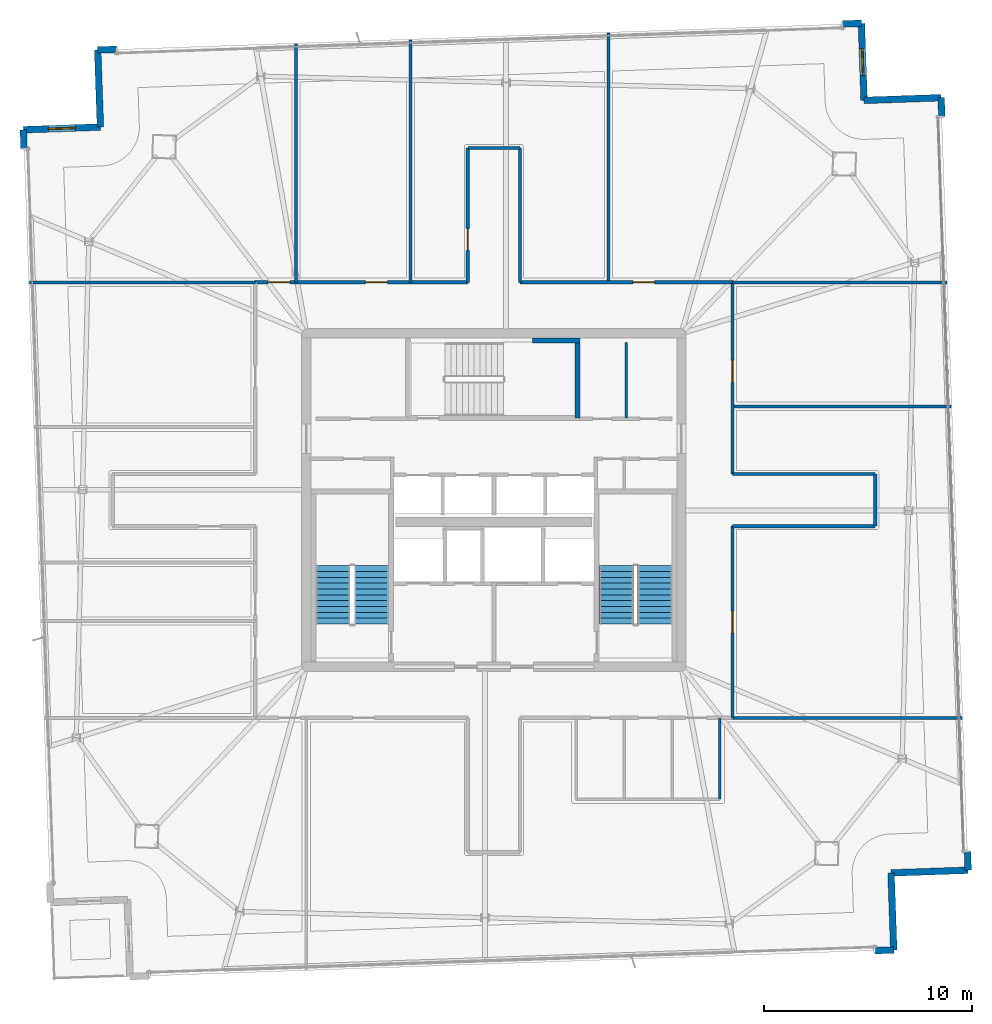
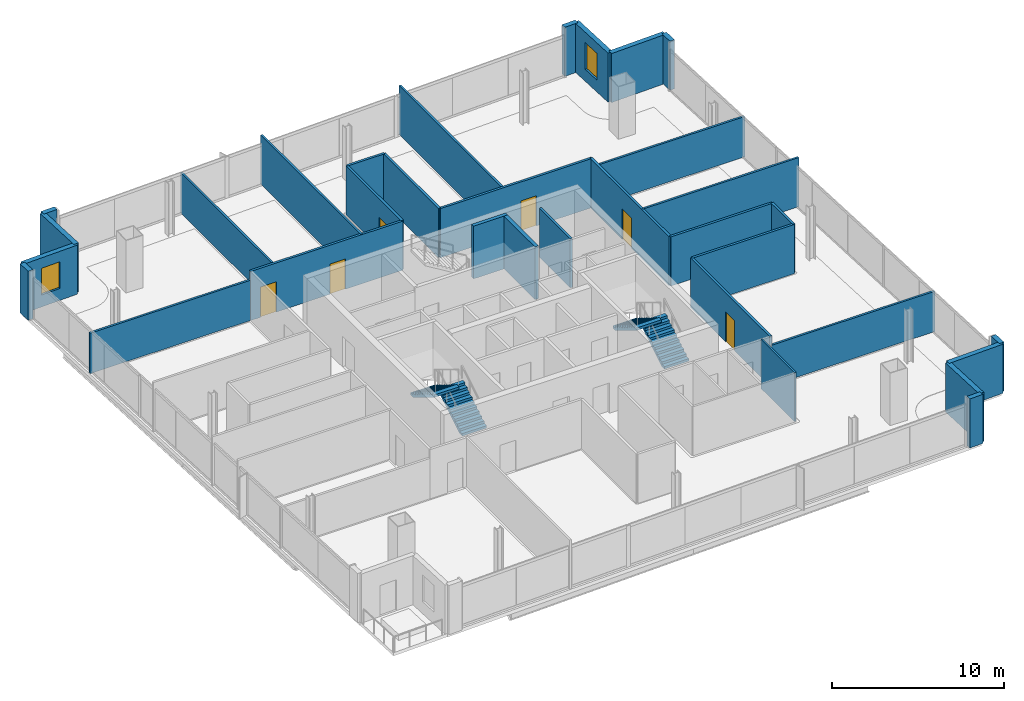
# One storey, part 19 of 23: 33 walls, 6 doors, 4 stair flights, 2 windows, 8 openings, 2 elements without a shape of their own.
"""IFC4 building model written with IfcOpenShell, lengths in metres."""

from ifc_helpers import new_model, si_unit, direction, frame, frame_2d, origin, place, context, subcontext, project, spatial, polyline, rectangle, outline, extrude, material, layer, layer_set, type_object, element, fill, aggregate, save


model = new_model("IFC4")

# Units and contexts
model_context = context("Model", 3, precision=1e-05, world=origin(), true_north=direction((0.0, 1.0)))
body_context = subcontext(model_context, "Body", "Model", "MODEL_VIEW")
ifc_project = project(units=[si_unit("LENGTHUNIT", "METRE"), si_unit("AREAUNIT", "SQUARE_METRE"), si_unit("VOLUMEUNIT", "CUBIC_METRE"), si_unit("PLANEANGLEUNIT", "RADIAN"), si_unit("MASSUNIT", "GRAM", prefix="KILO")], contexts=[model_context])

# Site, building, storey
site_placement = place(None, origin())
site = spatial("IfcSite", under=ifc_project, at=site_placement, CompositionType="ELEMENT")
building_placement = place(site_placement, origin())
building = spatial("IfcBuilding", under=site, at=building_placement, Name="Haldenkirk Collegiate Tower", CompositionType="ELEMENT")
storey_placement = place(building_placement, frame((0.0, 0.0, 336.449951171875)))
storey = spatial("IfcBuildingStorey", under=building, at=storey_placement, Name="L85", CompositionType="ELEMENT", Elevation=336.449951171875)

# Walls
ifc_material_1 = material(Name="Precast concrete f'c 40 MPa", Category="concrete")
ifc_layer_1 = layer(ifc_material_1, 0.320068359375)
ifc_layer_set_1 = layer_set([ifc_layer_1], Name="Precast concrete f'c 40 MPa")
wall_type_1 = type_object("IfcWallType", Name="WL-EXT-TWR-320", PredefinedType="STANDARD", material=ifc_layer_set_1)
wall_1_placement = place(storey_placement, frame((57.464111328125, 45.310791015625, 0.0), z_axis=(0.0, 0.0, 1.0), x_axis=(0.034994838926, -0.999387493042, 0.0)))
element("IfcWall", 1, at=wall_1_placement, inside=storey, type_object=wall_type_1, Name="L85 precast corner pier SL", PredefinedType="STANDARD", context=body_context, shape_type="SweptSolid", body=[
    extrude(rectangle(XDim=0.89990234375, YDim=0.320068359375, at=frame_2d((0.449951171875, 0.0))), origin(), (0.0, 0.0, 1.0), 3.489990234375),
])
wall_2_placement = place(storey_placement, frame((58.7275390625, 9.133056640625, 0.0), z_axis=(0.0, 0.0, 1.0), x_axis=(0.034714477794, -0.999397270875, 0.0)))
element("IfcWall", 2, at=wall_2_placement, inside=storey, type_object=wall_type_1, Name="L85 precast corner pier SR", PredefinedType="STANDARD", context=body_context, shape_type="SweptSolid", body=[
    extrude(rectangle(XDim=0.900146484375, YDim=0.320068359375, at=frame_2d((0.4501953125, 0.0))), origin(), (0.0, 0.0, 1.0), 3.489990234375),
])
wall_3_placement = place(storey_placement, frame((53.766357421875, 45.181640625, 0.0), z_axis=(0.0, 0.0, 1.0), x_axis=(0.999390619817, 0.034905429677, 0.0)))
element("IfcWall", 3, at=wall_3_placement, inside=storey, type_object=wall_type_1, Name="L85 bronze precast notch wall 02", PredefinedType="STANDARD", context=body_context, shape_type="SweptSolid", body=[
    extrude(rectangle(XDim=3.699951171875, YDim=0.320068359375, at=frame_2d((1.85009765625, 0.0))), origin(), (0.0, 0.0, 1.0), 3.489990234375),
])

# Wall, opening, window
wall_4_placement = place(storey_placement, frame((53.63720703125, 48.87939453125, 0.0), z_axis=(0.0, 0.0, 1.0), x_axis=(0.034905429677, -0.999390619817, 0.0)))
wall_4 = element("IfcWall", 4, at=wall_4_placement, inside=storey, type_object=wall_type_1, Name="L85 bronze precast notch wall 03", PredefinedType="STANDARD", context=body_context, shape_type="SweptSolid", body=[
    extrude(rectangle(XDim=3.699951171875, YDim=0.320068359375, at=frame_2d((1.85009765625, 0.0))), origin(), (0.0, 0.0, 1.0), 3.489990234375),
])
opening_1_placement = place(wall_4_placement, frame((1.199951171875, 0.0, 0.85009765625)))
opening_1 = element("IfcOpeningElement", 5, at=opening_1_placement, cuts=wall_4, Name="Opening W-08", PredefinedType="OPENING", context=body_context, shape_type="SweptSolid", body=[
    extrude(rectangle(XDim=1.300048828125, YDim=1.89990234375, at=frame_2d((0.64990234375, 0.949951171875))), frame((0.0, 0.169921875, 0.0), z_axis=(0.0, -1.0, 0.0), x_axis=(1.0, 0.0, 0.0)), (0.0, 0.0, 1.0), 0.340087890625),
])
ifc_material_2 = material(Name="Low-E argon triple insulating glass", Category="glass")
ifc_layer_2 = layer(ifc_material_2, 0.090087890625)
ifc_layer_set_2 = layer_set([ifc_layer_2], Name="Low-E argon triple insulating glass")
window_type = type_object("IfcWindowType", Name="WN-Z6-1300X1900", PartitioningType="SINGLE_PANEL", PredefinedType="WINDOW", material=ifc_layer_set_2)
window_1_placement = place(opening_1_placement, origin())
window_1 = element("IfcWindow", 6, at=window_1_placement, inside=storey, type_object=window_type, Name="L85 precast-frame academic window 2", OverallHeight=1.89990234375, OverallWidth=1.300048828125, PartitioningType="SINGLE_PANEL", PredefinedType="WINDOW", context=body_context, shape_type="SweptSolid", body=[
    extrude(rectangle(XDim=1.300048828125, YDim=1.89990234375, at=frame_2d((0.64990234375, 0.949951171875))), frame((0.0, 0.030029296875, 0.0), z_axis=(0.0, -1.0, 0.0), x_axis=(1.0, 0.0, 0.0)), (0.0, 0.0, 1.0), 0.06005859375),
])
fill(opening_1, window_1)

# Walls
for number, where, z_axis, x_axis, name in (
    (7, (16.984619140625, 47.599609375, 0.0), (0.0, 0.0, 1.0), (0.999396943912, 0.034723889474, 0.0), "L85 precast corner pier EL"),
    (8, (52.73779296875, 48.84814453125, 0.0), (0.0, 0.0, 1.0), (0.999396943912, 0.034723889474, 0.0), "L85 precast corner pier ER"),
):
    element("IfcWall", number, at=place(storey_placement, frame(where, z_axis=z_axis, x_axis=x_axis)), inside=storey, type_object=wall_type_1, Name=name, PredefinedType="STANDARD", context=body_context, shape_type="SweptSolid", body=[
        extrude(rectangle(XDim=0.89990234375, YDim=0.320068359375, at=frame_2d((0.449951171875, 0.0))), origin(), (0.0, 0.0, 1.0), 3.489990234375),
    ])
wall_5_placement = place(storey_placement, frame((17.11376953125, 43.90185546875, 0.0), z_axis=(0.0, 0.0, 1.0), x_axis=(-0.034905429677, 0.999390619817, 0.0)))
element("IfcWall", 9, at=wall_5_placement, inside=storey, type_object=wall_type_1, Name="L85 bronze precast notch wall 05", PredefinedType="STANDARD", context=body_context, shape_type="SweptSolid", body=[
    extrude(rectangle(XDim=3.699951171875, YDim=0.320068359375, at=frame_2d((1.85009765625, 0.0))), origin(), (0.0, 0.0, 1.0), 3.489990234375),
])

# Wall, opening, window
wall_6_placement = place(storey_placement, frame((13.416015625, 43.772705078125, 0.0), z_axis=(0.0, 0.0, 1.0), x_axis=(0.999390619817, 0.034905429677, 0.0)))
wall_6 = element("IfcWall", 10, at=wall_6_placement, inside=storey, type_object=wall_type_1, Name="L85 bronze precast notch wall 06", PredefinedType="STANDARD", context=body_context, shape_type="SweptSolid", body=[
    extrude(rectangle(XDim=3.699951171875, YDim=0.320068359375, at=frame_2d((1.85009765625, 0.0))), origin(), (0.0, 0.0, 1.0), 3.489990234375),
])
opening_2_placement = place(wall_6_placement, frame((1.199951171875, 0.0, 0.85009765625)))
opening_2 = element("IfcOpeningElement", 11, at=opening_2_placement, cuts=wall_6, Name="Opening W-08", PredefinedType="OPENING", context=body_context, shape_type="SweptSolid", body=[
    extrude(rectangle(XDim=1.300048828125, YDim=1.89990234375, at=frame_2d((0.64990234375, 0.949951171875))), frame((0.0, 0.169921875, 0.0), z_axis=(0.0, -1.0, 0.0), x_axis=(1.0, 0.0, 0.0)), (0.0, 0.0, 1.0), 0.340087890625),
])
window_2_placement = place(opening_2_placement, origin())
window_2 = element("IfcWindow", 12, at=window_2_placement, inside=storey, type_object=window_type, Name="L85 precast-frame academic window 5", OverallHeight=1.89990234375, OverallWidth=1.300048828125, PartitioningType="SINGLE_PANEL", PredefinedType="WINDOW", context=body_context, shape_type="SweptSolid", body=[
    extrude(rectangle(XDim=1.300048828125, YDim=1.89990234375, at=frame_2d((0.64990234375, 0.949951171875))), frame((0.0, 0.030029296875, 0.0), z_axis=(0.0, -1.0, 0.0), x_axis=(1.0, 0.0, 0.0)), (0.0, 0.0, 1.0), 0.06005859375),
])
fill(opening_2, window_2)

# Walls
for number, where, z_axis, x_axis, name in (
    (13, (13.447509765625, 42.873291015625, 0.0), (0.0, 0.0, 1.0), (-0.034994838926, 0.999387493042, 0.0), "L85 precast corner pier NR"),
    (14, (55.190185546875, 4.406494140625, 0.0), (0.0, 0.0, 1.0), (-0.999396943912, -0.034723889474, 0.0), "L85 precast corner pier WL"),
):
    element("IfcWall", number, at=place(storey_placement, frame(where, z_axis=z_axis, x_axis=x_axis)), inside=storey, type_object=wall_type_1, Name=name, PredefinedType="STANDARD", context=body_context, shape_type="SweptSolid", body=[
        extrude(rectangle(XDim=0.89990234375, YDim=0.320068359375, at=frame_2d((0.449951171875, 0.0))), origin(), (0.0, 0.0, 1.0), 3.489990234375),
    ])
wall_7_placement = place(storey_placement, frame((55.061279296875, 8.104248046875, 0.0), z_axis=(0.0, 0.0, 1.0), x_axis=(0.034839526044, -0.999392919439, 0.0)))
element("IfcWall", 15, at=wall_7_placement, inside=storey, type_object=wall_type_1, Name="L85 bronze precast notch wall 11", PredefinedType="STANDARD", context=body_context, shape_type="SweptSolid", body=[
    extrude(rectangle(XDim=3.699951171875, YDim=0.320068359375, at=frame_2d((1.85009765625, 0.0))), origin(), (0.0, 0.0, 1.0), 3.489990234375),
])
wall_8_placement = place(storey_placement, frame((58.7587890625, 8.2333984375, 0.0), z_axis=(0.0, 0.0, 1.0), x_axis=(-0.999390539416, -0.034907731618, 0.0)))
element("IfcWall", 16, at=wall_8_placement, inside=storey, type_object=wall_type_1, Name="L85 bronze precast notch wall 12", PredefinedType="STANDARD", context=body_context, shape_type="SweptSolid", body=[
    extrude(rectangle(XDim=3.69970703125, YDim=0.320068359375, at=frame_2d((1.849853515625, 0.0))), origin(), (0.0, 0.0, 1.0), 3.489990234375),
])

# Wall, openings, doors
ifc_material_3 = material(Name="Acoustic fire-rated gypsum partition", Category="concrete")
ifc_layer_3 = layer(ifc_material_3, 0.159912109375)
ifc_layer_set_3 = layer_set([ifc_layer_3], Name="Acoustic fire-rated gypsum partition")
wall_type_2 = type_object("IfcWallType", Name="WL-INT-CORR-160", PredefinedType="PARTITIONING", material=ifc_layer_set_3)
wall_9_placement = place(storey_placement, frame((24.5, 36.449951171875, 0.0), z_axis=(0.0, 0.0, 1.0), x_axis=(1.0, 0.0, 0.0)))
wall_9 = element("IfcWall", 17, at=wall_9_placement, inside=storey, type_object=wall_type_2, Name="L85 interior partition IW-L85-CN1", PredefinedType="PARTITIONING", context=body_context, shape_type="SweptSolid", body=[
    extrude(rectangle(XDim=10.25, YDim=0.159912109375, at=frame_2d((5.125, 0.0))), origin(), (0.0, 0.0, 1.0), 3.489990234375),
])
opening_3_placement = place(wall_9_placement, frame((0.669921875, 0.0, 0.0)))
opening_3 = element("IfcOpeningElement", 18, at=opening_3_placement, cuts=wall_9, Name="Opening D-09", PredefinedType="OPENING", context=body_context, shape_type="SweptSolid", body=[
    extrude(rectangle(XDim=1.050048828125, YDim=2.14990234375, at=frame_2d((0.52490234375, 1.074951171875))), frame((0.0, 0.08984375, 0.0), z_axis=(0.0, -1.0, 0.0), x_axis=(1.0, 0.0, 0.0)), (0.0, 0.0, 1.0), 0.179931640625),
])
opening_4_placement = place(wall_9_placement, frame((5.3349609375, 0.0, 0.0)))
opening_4 = element("IfcOpeningElement", 19, at=opening_4_placement, cuts=wall_9, Name="Opening D-09", PredefinedType="OPENING", context=body_context, shape_type="SweptSolid", body=[
    extrude(rectangle(XDim=1.050048828125, YDim=2.14990234375, at=frame_2d((0.52490234375, 1.074951171875))), frame((0.0, 0.08984375, 0.0), z_axis=(0.0, -1.0, 0.0), x_axis=(1.0, 0.0, 0.0)), (0.0, 0.0, 1.0), 0.179931640625),
])
ifc_material_4 = material(Name="Solid-core architectural oak fire door", Category="wood")
ifc_layer_4 = layer(ifc_material_4, 0.06005859375)
ifc_layer_set_4 = layer_set([ifc_layer_4], Name="Solid-core architectural oak fire door")
door_type = type_object("IfcDoorType", Name="DR-INT-FD60-1050", OperationType="NOTDEFINED", PredefinedType="DOOR", material=ifc_layer_set_4)
door_1_placement = place(opening_3_placement, origin())
door_1 = element("IfcDoor", 20, at=door_1_placement, inside=storey, type_object=door_type, Name="L85 Instrument Store Room 3 door", OperationType="SINGLE_SWING_LEFT", OverallHeight=2.14990234375, OverallWidth=1.050048828125, PredefinedType="DOOR", context=body_context, shape_type="SweptSolid", body=[
    extrude(rectangle(XDim=1.050048828125, YDim=2.14990234375, at=frame_2d((0.52490234375, 1.074951171875))), frame((0.0, 0.02490234375, 0.0), z_axis=(0.0, -1.0, 0.0), x_axis=(1.0, 0.0, 0.0)), (0.0, 0.0, 1.0), 0.050048828125),
])
fill(opening_3, door_1)
door_2_placement = place(opening_4_placement, origin())
door_2 = element("IfcDoor", 21, at=door_2_placement, inside=storey, type_object=door_type, Name="L85 Material Specimen Store 4 door", OperationType="SINGLE_SWING_RIGHT", OverallHeight=2.14990234375, OverallWidth=1.050048828125, PredefinedType="DOOR", context=body_context, shape_type="SweptSolid", body=[
    extrude(rectangle(XDim=1.050048828125, YDim=2.14990234375, at=frame_2d((0.52490234375, 1.074951171875))), frame((0.0, 0.02490234375, 0.0), z_axis=(0.0, -1.0, 0.0), x_axis=(1.0, 0.0, 0.0)), (0.0, 0.0, 1.0), 0.050048828125),
])
fill(opening_4, door_2)

# Wall, opening, door
wall_10_placement = place(storey_placement, frame((37.25, 36.449951171875, 0.0), z_axis=(0.0, 0.0, 1.0), x_axis=(1.0, 0.0, 0.0)))
wall_10 = element("IfcWall", 22, at=wall_10_placement, inside=storey, type_object=wall_type_2, Name="L85 interior partition IW-L85-CN2", PredefinedType="PARTITIONING", context=body_context, shape_type="SweptSolid", body=[
    extrude(rectangle(XDim=10.25, YDim=0.159912109375, at=frame_2d((5.125, 0.0))), origin(), (0.0, 0.0, 1.0), 3.489990234375),
])
opening_5_placement = place(wall_10_placement, frame((5.4189453125, 0.0, 0.0)))
opening_5 = element("IfcOpeningElement", 23, at=opening_5_placement, cuts=wall_10, Name="Opening D-09", PredefinedType="OPENING", context=body_context, shape_type="SweptSolid", body=[
    extrude(rectangle(XDim=1.050048828125, YDim=2.14990234375, at=frame_2d((0.52490234375, 1.074951171875))), frame((0.0, 0.08984375, 0.0), z_axis=(0.0, -1.0, 0.0), x_axis=(1.0, 0.0, 0.0)), (0.0, 0.0, 1.0), 0.179931640625),
])
door_3_placement = place(opening_5_placement, origin())
door_3 = element("IfcDoor", 24, at=door_3_placement, inside=storey, type_object=door_type, Name="L85 Cleanroom Prep Store 6 door", OperationType="SINGLE_SWING_RIGHT", OverallHeight=2.14990234375, OverallWidth=1.050048828125, PredefinedType="DOOR", context=body_context, shape_type="SweptSolid", body=[
    extrude(rectangle(XDim=1.050048828125, YDim=2.14990234375, at=frame_2d((0.52490234375, 1.074951171875))), frame((0.0, 0.02490234375, 0.0), z_axis=(0.0, -1.0, 0.0), x_axis=(1.0, 0.0, 0.0)), (0.0, 0.0, 1.0), 0.050048828125),
])
fill(opening_5, door_3)

wall_11_placement = place(storey_placement, frame((47.449951171875, 15.550048828125, 0.0), z_axis=(0.0, 0.0, 1.0), x_axis=(0.0, 1.0, 0.0)))
wall_11 = element("IfcWall", 25, at=wall_11_placement, inside=storey, type_object=wall_type_2, Name="L85 interior partition IW-L85-CE1", PredefinedType="PARTITIONING", context=body_context, shape_type="SweptSolid", body=[
    extrude(rectangle(XDim=9.199951171875, YDim=0.159912109375, at=frame_2d((4.60009765625, 0.0))), origin(), (0.0, 0.0, 1.0), 3.489990234375),
])
opening_6_placement = place(wall_11_placement, frame((4.074951171875, 0.0, 0.0)))
opening_6 = element("IfcOpeningElement", 26, at=opening_6_placement, cuts=wall_11, Name="Opening D-09", PredefinedType="OPENING", context=body_context, shape_type="SweptSolid", body=[
    extrude(rectangle(XDim=1.050048828125, YDim=2.14990234375, at=frame_2d((0.52490234375, 1.074951171875))), frame((0.0, 0.08984375, 0.0), z_axis=(0.0, -1.0, 0.0), x_axis=(1.0, 0.0, 0.0)), (0.0, 0.0, 1.0), 0.179931640625),
])
door_4_placement = place(opening_6_placement, origin())
door_4 = element("IfcDoor", 27, at=door_4_placement, inside=storey, type_object=door_type, Name="L85 Departmental Archive 11 door", OperationType="SINGLE_SWING_LEFT", OverallHeight=2.14990234375, OverallWidth=1.050048828125, PredefinedType="DOOR", context=body_context, shape_type="SweptSolid", body=[
    extrude(rectangle(XDim=1.050048828125, YDim=2.14990234375, at=frame_2d((0.52490234375, 1.074951171875))), frame((0.0, 0.02490234375, 0.0), z_axis=(0.0, -1.0, 0.0), x_axis=(1.0, 0.0, 0.0)), (0.0, 0.0, 1.0), 0.050048828125),
])
fill(opening_6, door_4)

wall_12_placement = place(storey_placement, frame((47.449951171875, 27.25, 0.0), z_axis=(0.0, 0.0, 1.0), x_axis=(0.0, 1.0, 0.0)))
wall_12 = element("IfcWall", 28, at=wall_12_placement, inside=storey, type_object=wall_type_2, Name="L85 interior partition IW-L85-CE2", PredefinedType="PARTITIONING", context=body_context, shape_type="SweptSolid", body=[
    extrude(rectangle(XDim=9.199951171875, YDim=0.159912109375, at=frame_2d((4.60009765625, 0.0))), origin(), (0.0, 0.0, 1.0), 3.489990234375),
])
opening_7_placement = place(wall_12_placement, frame((4.403076171875, 0.0, 0.0)))
opening_7 = element("IfcOpeningElement", 29, at=opening_7_placement, cuts=wall_12, Name="Opening D-09", PredefinedType="OPENING", context=body_context, shape_type="SweptSolid", body=[
    extrude(rectangle(XDim=1.050048828125, YDim=2.14990234375, at=frame_2d((0.52490234375, 1.074951171875))), frame((0.0, 0.08984375, 0.0), z_axis=(0.0, -1.0, 0.0), x_axis=(1.0, 0.0, 0.0)), (0.0, 0.0, 1.0), 0.179931640625),
])
door_5_placement = place(opening_7_placement, origin())
door_5 = element("IfcDoor", 30, at=door_5_placement, inside=storey, type_object=door_type, Name="L85 Cleanroom Prep Store 12 door", OperationType="SINGLE_SWING_RIGHT", OverallHeight=2.14990234375, OverallWidth=1.050048828125, PredefinedType="DOOR", context=body_context, shape_type="SweptSolid", body=[
    extrude(rectangle(XDim=1.050048828125, YDim=2.14990234375, at=frame_2d((0.52490234375, 1.074951171875))), frame((0.0, 0.02490234375, 0.0), z_axis=(0.0, -1.0, 0.0), x_axis=(1.0, 0.0, 0.0)), (0.0, 0.0, 1.0), 0.050048828125),
])
fill(opening_7, door_5)

wall_13_placement = place(storey_placement, frame((34.75, 36.449951171875, 0.0), z_axis=(0.0, 0.0, 1.0), x_axis=(0.0, 1.0, 0.0)))
wall_13 = element("IfcWall", 31, at=wall_13_placement, inside=storey, type_object=wall_type_2, Name="L85 interior partition IW-L85-NPW", PredefinedType="PARTITIONING", context=body_context, shape_type="SweptSolid", body=[
    extrude(rectangle(XDim=6.449951171875, YDim=0.159912109375, at=frame_2d((3.22509765625, 0.0))), origin(), (0.0, 0.0, 1.0), 3.489990234375),
])
opening_8_placement = place(wall_13_placement, frame((1.5390625, 0.0, 0.0)))
opening_8 = element("IfcOpeningElement", 32, at=opening_8_placement, cuts=wall_13, Name="Opening D-09", PredefinedType="OPENING", context=body_context, shape_type="SweptSolid", body=[
    extrude(rectangle(XDim=1.050048828125, YDim=2.14990234375, at=frame_2d((0.52490234375, 1.074951171875))), frame((0.0, 0.08984375, 0.0), z_axis=(0.0, -1.0, 0.0), x_axis=(1.0, 0.0, 0.0)), (0.0, 0.0, 1.0), 0.179931640625),
])
door_6_placement = place(opening_8_placement, origin())
door_6 = element("IfcDoor", 33, at=door_6_placement, inside=storey, type_object=door_type, Name="L85 Departmental Archive 5 door", OperationType="SINGLE_SWING_LEFT", OverallHeight=2.14990234375, OverallWidth=1.050048828125, PredefinedType="DOOR", context=body_context, shape_type="SweptSolid", body=[
    extrude(rectangle(XDim=1.050048828125, YDim=2.14990234375, at=frame_2d((0.52490234375, 1.074951171875))), frame((0.0, 0.02490234375, 0.0), z_axis=(0.0, -1.0, 0.0), x_axis=(1.0, 0.0, 0.0)), (0.0, 0.0, 1.0), 0.050048828125),
])
fill(opening_8, door_6)

# Walls
wall_14_placement = place(storey_placement, frame((37.25, 36.449951171875, 0.0), z_axis=(0.0, 0.0, 1.0), x_axis=(0.0, 1.0, 0.0)))
element("IfcWall", 34, at=wall_14_placement, inside=storey, type_object=wall_type_2, Name="L85 interior partition IW-L85-NPE", PredefinedType="PARTITIONING", context=body_context, shape_type="SweptSolid", body=[
    extrude(rectangle(XDim=6.449951171875, YDim=0.159912109375, at=frame_2d((3.22509765625, 0.0))), origin(), (0.0, 0.0, 1.0), 3.489990234375),
])
wall_15_placement = place(storey_placement, frame((34.75, 42.89990234375, 0.0), z_axis=(0.0, 0.0, 1.0), x_axis=(1.0, 0.0, 0.0)))
element("IfcWall", 35, at=wall_15_placement, inside=storey, type_object=wall_type_2, Name="L85 interior partition IW-L85-NPN", PredefinedType="PARTITIONING", context=body_context, shape_type="SweptSolid", body=[
    extrude(rectangle(XDim=2.5, YDim=0.159912109375, at=frame_2d((1.25, 0.0))), origin(), (0.0, 0.0, 1.0), 3.489990234375),
])
for number, where, z_axis, x_axis, name in (
    (36, (47.449951171875, 24.75, 0.0), (0.0, 0.0, 1.0), (1.0, 0.0, 0.0), "L85 interior partition IW-L85-EPS"),
    (37, (47.449951171875, 27.25, 0.0), (0.0, 0.0, 1.0), (1.0, 0.0, 0.0), "L85 interior partition IW-L85-EPN"),
):
    element("IfcWall", number, at=place(storey_placement, frame(where, z_axis=z_axis, x_axis=x_axis)), inside=storey, type_object=wall_type_2, Name=name, PredefinedType="PARTITIONING", context=body_context, shape_type="SweptSolid", body=[
        extrude(rectangle(XDim=6.85009765625, YDim=0.159912109375, at=frame_2d((3.425048828125, 0.0))), origin(), (0.0, 0.0, 1.0), 3.489990234375),
    ])
wall_16_placement = place(storey_placement, frame((54.300048828125, 24.75, 0.0), z_axis=(0.0, 0.0, 1.0), x_axis=(0.0, 1.0, 0.0)))
element("IfcWall", 38, at=wall_16_placement, inside=storey, type_object=wall_type_2, Name="L85 interior partition IW-L85-EPE", PredefinedType="PARTITIONING", context=body_context, shape_type="SweptSolid", body=[
    extrude(rectangle(XDim=2.5, YDim=0.159912109375, at=frame_2d((1.25, 0.0))), origin(), (0.0, 0.0, 1.0), 3.489990234375),
])
ifc_layer_5 = layer(ifc_material_3, 0.139892578125)
ifc_layer_set_5 = layer_set([ifc_layer_5], Name="Acoustic fire-rated gypsum partition")
wall_type_3 = type_object("IfcWallType", Name="WL-INT-DIV-140", PredefinedType="PARTITIONING", material=ifc_layer_set_5)
wall_17_placement = place(storey_placement, frame((42.35009765625, 29.949951171875, 0.0), z_axis=(0.0, 0.0, 1.0), x_axis=(0.0, 1.0, 0.0)))
element("IfcWall", 39, at=wall_17_placement, inside=storey, type_object=wall_type_3, Name="L85 interior partition IW-L85-PMDIV", PredefinedType="PARTITIONING", context=body_context, shape_type="SweptSolid", body=[
    extrude(rectangle(XDim=3.60009765625, YDim=0.139892578125, at=frame_2d((1.800048828125, 0.0))), origin(), (0.0, 0.0, 1.0), 3.489990234375),
])
wall_18_placement = place(storey_placement, frame((13.711669921875, 36.449951171875, 0.0), z_axis=(0.0, 0.0, 1.0), x_axis=(1.0, 0.0, 0.0)))
element("IfcWall", 40, at=wall_18_placement, inside=storey, type_object=wall_type_3, Name="L85 interior partition IW-L85-BWN", PredefinedType="PARTITIONING", context=body_context, shape_type="SweptSolid", body=[
    extrude(rectangle(XDim=10.83837890625, YDim=0.139892578125, at=frame_2d((5.419189453125, 0.0))), origin(), (0.0, 0.0, 1.0), 2.8681640625),
])
wall_19_placement = place(storey_placement, frame((47.449951171875, 15.550048828125, 0.0), z_axis=(0.0, 0.0, 1.0), x_axis=(1.0, 0.0, 0.0)))
element("IfcWall", 41, at=wall_19_placement, inside=storey, type_object=wall_type_3, Name="L85 interior partition IW-L85-BES", PredefinedType="PARTITIONING", context=body_context, shape_type="SweptSolid", body=[
    extrude(rectangle(XDim=11.013427734375, YDim=0.139892578125, at=frame_2d((5.5068359375, 0.0))), origin(), (0.0, 0.0, 1.0), 2.8681640625),
])
wall_20_placement = place(storey_placement, frame((47.449951171875, 36.449951171875, 0.0), z_axis=(0.0, 0.0, 1.0), x_axis=(1.0, 0.0, 0.0)))
element("IfcWall", 42, at=wall_20_placement, inside=storey, type_object=wall_type_3, Name="L85 interior partition IW-L85-BEN", PredefinedType="PARTITIONING", context=body_context, shape_type="SweptSolid", body=[
    extrude(rectangle(XDim=10.283447265625, YDim=0.139892578125, at=frame_2d((5.1416015625, 0.0))), origin(), (0.0, 0.0, 1.0), 2.8681640625),
])
wall_21_placement = place(storey_placement, frame((26.5, 36.449951171875, 0.0), z_axis=(0.0, 0.0, 1.0), x_axis=(0.0, 1.0, 0.0)))
element("IfcWall", 43, at=wall_21_placement, inside=storey, type_object=wall_type_3, Name="L85 interior partition IW-L85-RN1", PredefinedType="PARTITIONING", context=body_context, shape_type="SweptSolid", body=[
    extrude(rectangle(XDim=11.44189453125, YDim=0.139892578125, at=frame_2d((5.720947265625, 0.0))), origin(), (0.0, 0.0, 1.0), 2.8681640625),
])
wall_22_placement = place(storey_placement, frame((32.0, 36.449951171875, 0.0), z_axis=(0.0, 0.0, 1.0), x_axis=(0.0, 1.0, 0.0)))
element("IfcWall", 44, at=wall_22_placement, inside=storey, type_object=wall_type_3, Name="L85 interior partition IW-L85-RN2", PredefinedType="PARTITIONING", context=body_context, shape_type="SweptSolid", body=[
    extrude(rectangle(XDim=11.6337890625, YDim=0.139892578125, at=frame_2d((5.81689453125, 0.0))), origin(), (0.0, 0.0, 1.0), 3.489990234375),
])
wall_23_placement = place(storey_placement, frame((41.5, 36.449951171875, 0.0), z_axis=(0.0, 0.0, 1.0), x_axis=(0.0, 1.0, 0.0)))
element("IfcWall", 45, at=wall_23_placement, inside=storey, type_object=wall_type_3, Name="L85 interior partition IW-L85-RN3", PredefinedType="PARTITIONING", context=body_context, shape_type="SweptSolid", body=[
    extrude(rectangle(XDim=11.965576171875, YDim=0.139892578125, at=frame_2d((5.98291015625, 0.0))), origin(), (0.0, 0.0, 1.0), 3.489990234375),
])
wall_24_placement = place(storey_placement, frame((47.449951171875, 30.5, 0.0), z_axis=(0.0, 0.0, 1.0), x_axis=(1.0, 0.0, 0.0)))
element("IfcWall", 46, at=wall_24_placement, inside=storey, type_object=wall_type_3, Name="L85 interior partition IW-L85-RE1", PredefinedType="PARTITIONING", context=body_context, shape_type="SweptSolid", body=[
    extrude(rectangle(XDim=10.491455078125, YDim=0.139892578125, at=frame_2d((5.24560546875, 0.0))), origin(), (0.0, 0.0, 1.0), 3.489990234375),
])
ifc_layer_6 = layer(ifc_material_3, 0.1201171875)
ifc_layer_set_6 = layer_set([ifc_layer_6], Name="Acoustic fire-rated gypsum partition")
wall_type_4 = type_object("IfcWallType", Name="WL-INT-WET-120", PredefinedType="PARTITIONING", material=ifc_layer_set_6)
wall_25_placement = place(storey_placement, frame((46.85009765625, 11.64990234375, 0.0), z_axis=(0.0, 0.0, 1.0), x_axis=(0.0, 1.0, 0.0)))
element("IfcWall", 47, at=wall_25_placement, inside=storey, type_object=wall_type_4, Name="L85 interior partition IW-L85-WCE", PredefinedType="PARTITIONING", context=body_context, shape_type="SweptSolid", body=[
    extrude(rectangle(XDim=3.900146484375, YDim=0.1201171875, at=frame_2d((1.9501953125, 0.0))), origin(), (0.0, 0.0, 1.0), 3.489990234375),
])
ifc_material_5 = material(Name="Concrete f'c 55 MPa", Category="concrete")
ifc_layer_7 = layer(ifc_material_5, 0.239990234375)
ifc_layer_set_7 = layer_set([ifc_layer_7], Name="Concrete f'c 55 MPa")
wall_type_5 = type_object("IfcWallType", Name="WL-SHAFT-240", PredefinedType="SHEAR", material=ifc_layer_set_7)
wall_26_placement = place(storey_placement, frame((40.02001953125, 29.929931640625, 0.0), z_axis=(0.0, 0.0, 1.0), x_axis=(0.0, 1.0, 0.0)))
element("IfcWall", 48, at=wall_26_placement, inside=storey, type_object=wall_type_5, Name="L85 stair shaft shear wall SW-L85-ST3E", PredefinedType="SHEAR", context=body_context, shape_type="SweptSolid", body=[
    extrude(rectangle(XDim=3.85009765625, YDim=0.239990234375, at=frame_2d((1.925048828125, 0.0))), origin(), (0.0, 0.0, 1.0), 3.75),
])
wall_27_placement = place(storey_placement, frame((37.85009765625, 33.659912109375, 0.0), z_axis=(0.0, 0.0, 1.0), x_axis=(1.0, 0.0, 0.0)))
element("IfcWall", 49, at=wall_27_placement, inside=storey, type_object=wall_type_5, Name="L85 stair shaft shear wall SW-L85-ST3N", PredefinedType="SHEAR", context=body_context, shape_type="SweptSolid", body=[
    extrude(rectangle(XDim=2.289794921875, YDim=0.239990234375, at=frame_2d((1.14501953125, 0.0))), origin(), (0.0, 0.0, 1.0), 3.75),
])

# Stair, stair flights
ifc_material_6 = material(Name="Concrete f'c 40 MPa", Category="concrete")
stair_type = type_object("IfcStairType", Name="STR-DOGLEG-1650", PredefinedType="HALF_TURN_STAIR", material=ifc_material_6)
stair_1_placement = place(storey_placement, origin())
stair_1 = element("IfcStair", 50, at=stair_1_placement, inside=storey, type_object=stair_type, Name="L85 Core Exit Stair ST-1", PredefinedType="HALF_TURN_STAIR")
stair_flight_type = type_object("IfcStairFlightType", Name="STF-FLIGHT-1650", PredefinedType="STRAIGHT", material=ifc_material_6)
stair_flight_1_placement = place(storey_placement, frame((30.125, 20.050048828125, 0.0), z_axis=(0.0, 0.0, 1.0), x_axis=(0.0, 1.0, 0.0)))
stair_flight_1 = element("IfcStairFlight", 51, at=stair_flight_1_placement, type_object=stair_flight_type, Name="ST-1 flight 1", NumberOfRisers=11, NumberOfTreads=10, PredefinedType="STRAIGHT", RiserHeight=0.170454545, TreadLength=0.28, context=body_context, shape_type="SweptSolid", body=[
    extrude(outline(polyline([(0.0, 0.0), (0.0, 0.17041015625), (0.280029296875, 0.17041015625), (0.280029296875, 0.3408203125), (0.56005859375, 0.3408203125), (0.56005859375, 0.511474609375), (0.840087890625, 0.511474609375), (0.840087890625, 0.681884765625), (1.1201171875, 0.681884765625), (1.1201171875, 0.852294921875), (1.39990234375, 0.852294921875), (1.39990234375, 1.022705078125), (1.679931640625, 1.022705078125), (1.679931640625, 1.193115234375), (1.9599609375, 1.193115234375), (1.9599609375, 1.363525390625), (2.239990234375, 1.363525390625), (2.239990234375, 1.5341796875), (2.52001953125, 1.5341796875), (2.52001953125, 1.70458984375), (2.800048828125, 1.70458984375), (2.800048828125, 1.875), (2.800048828125, 1.529052734375), (0.288330078125, 0.0), (0.0, 0.0)])), frame((0.0, 0.824951171875, 0.0), z_axis=(0.0, -1.0, 0.0), x_axis=(1.0, 0.0, 0.0)), (0.0, 0.0, 1.0), 1.64990234375),
])
stair_flight_2_placement = place(storey_placement, frame((28.27490234375, 22.85009765625, 1.875), z_axis=(0.0, 0.0, 1.0), x_axis=(0.0, -1.0, 0.0)))
stair_flight_2 = element("IfcStairFlight", 52, at=stair_flight_2_placement, type_object=stair_flight_type, Name="ST-1 flight 2", NumberOfRisers=11, NumberOfTreads=10, PredefinedType="STRAIGHT", RiserHeight=0.170454545, TreadLength=0.28, context=body_context, shape_type="SweptSolid", body=[
    extrude(outline(polyline([(0.0, 0.0), (0.0, 0.17041015625), (0.280029296875, 0.17041015625), (0.280029296875, 0.3408203125), (0.56005859375, 0.3408203125), (0.56005859375, 0.511474609375), (0.840087890625, 0.511474609375), (0.840087890625, 0.681884765625), (1.1201171875, 0.681884765625), (1.1201171875, 0.852294921875), (1.39990234375, 0.852294921875), (1.39990234375, 1.022705078125), (1.679931640625, 1.022705078125), (1.679931640625, 1.193115234375), (1.9599609375, 1.193115234375), (1.9599609375, 1.363525390625), (2.239990234375, 1.363525390625), (2.239990234375, 1.5341796875), (2.52001953125, 1.5341796875), (2.52001953125, 1.70458984375), (2.800048828125, 1.70458984375), (2.800048828125, 1.875), (2.800048828125, 1.529052734375), (0.288330078125, 0.0), (0.0, 0.0)])), frame((0.0, 0.824951171875, 0.0), z_axis=(0.0, -1.0, 0.0), x_axis=(1.0, 0.0, 0.0)), (0.0, 0.0, 1.0), 1.64990234375),
])
aggregate(stair_1, [stair_flight_1, stair_flight_2])

stair_2_placement = place(storey_placement, origin())
stair_2 = element("IfcStair", 53, at=stair_2_placement, inside=storey, type_object=stair_type, Name="L85 Core Exit Stair ST-2", PredefinedType="HALF_TURN_STAIR")
stair_flight_3_placement = place(storey_placement, frame((43.72509765625, 20.050048828125, 0.0), z_axis=(0.0, 0.0, 1.0), x_axis=(0.0, 1.0, 0.0)))
stair_flight_3 = element("IfcStairFlight", 54, at=stair_flight_3_placement, type_object=stair_flight_type, Name="ST-2 flight 1", NumberOfRisers=11, NumberOfTreads=10, PredefinedType="STRAIGHT", RiserHeight=0.170454545, TreadLength=0.28, context=body_context, shape_type="SweptSolid", body=[
    extrude(outline(polyline([(0.0, 0.0), (0.0, 0.17041015625), (0.280029296875, 0.17041015625), (0.280029296875, 0.3408203125), (0.56005859375, 0.3408203125), (0.56005859375, 0.511474609375), (0.840087890625, 0.511474609375), (0.840087890625, 0.681884765625), (1.1201171875, 0.681884765625), (1.1201171875, 0.852294921875), (1.39990234375, 0.852294921875), (1.39990234375, 1.022705078125), (1.679931640625, 1.022705078125), (1.679931640625, 1.193115234375), (1.9599609375, 1.193115234375), (1.9599609375, 1.363525390625), (2.239990234375, 1.363525390625), (2.239990234375, 1.5341796875), (2.52001953125, 1.5341796875), (2.52001953125, 1.70458984375), (2.800048828125, 1.70458984375), (2.800048828125, 1.875), (2.800048828125, 1.529052734375), (0.288330078125, 0.0), (0.0, 0.0)])), frame((0.0, 0.824951171875, 0.0), z_axis=(0.0, -1.0, 0.0), x_axis=(1.0, 0.0, 0.0)), (0.0, 0.0, 1.0), 1.64990234375),
])
stair_flight_4_placement = place(storey_placement, frame((41.875, 22.85009765625, 1.875), z_axis=(0.0, 0.0, 1.0), x_axis=(0.0, -1.0, 0.0)))
stair_flight_4 = element("IfcStairFlight", 55, at=stair_flight_4_placement, type_object=stair_flight_type, Name="ST-2 flight 2", NumberOfRisers=11, NumberOfTreads=10, PredefinedType="STRAIGHT", RiserHeight=0.170454545, TreadLength=0.28, context=body_context, shape_type="SweptSolid", body=[
    extrude(outline(polyline([(0.0, 0.0), (0.0, 0.17041015625), (0.280029296875, 0.17041015625), (0.280029296875, 0.3408203125), (0.56005859375, 0.3408203125), (0.56005859375, 0.511474609375), (0.840087890625, 0.511474609375), (0.840087890625, 0.681884765625), (1.1201171875, 0.681884765625), (1.1201171875, 0.852294921875), (1.39990234375, 0.852294921875), (1.39990234375, 1.022705078125), (1.679931640625, 1.022705078125), (1.679931640625, 1.193115234375), (1.9599609375, 1.193115234375), (1.9599609375, 1.363525390625), (2.239990234375, 1.363525390625), (2.239990234375, 1.5341796875), (2.52001953125, 1.5341796875), (2.52001953125, 1.70458984375), (2.800048828125, 1.70458984375), (2.800048828125, 1.875), (2.800048828125, 1.529052734375), (0.288330078125, 0.0), (0.0, 0.0)])), frame((0.0, 0.824951171875, 0.0), z_axis=(0.0, -1.0, 0.0), x_axis=(1.0, 0.0, 0.0)), (0.0, 0.0, 1.0), 1.64990234375),
])
aggregate(stair_2, [stair_flight_3, stair_flight_4])

save(model, "model.ifc")
